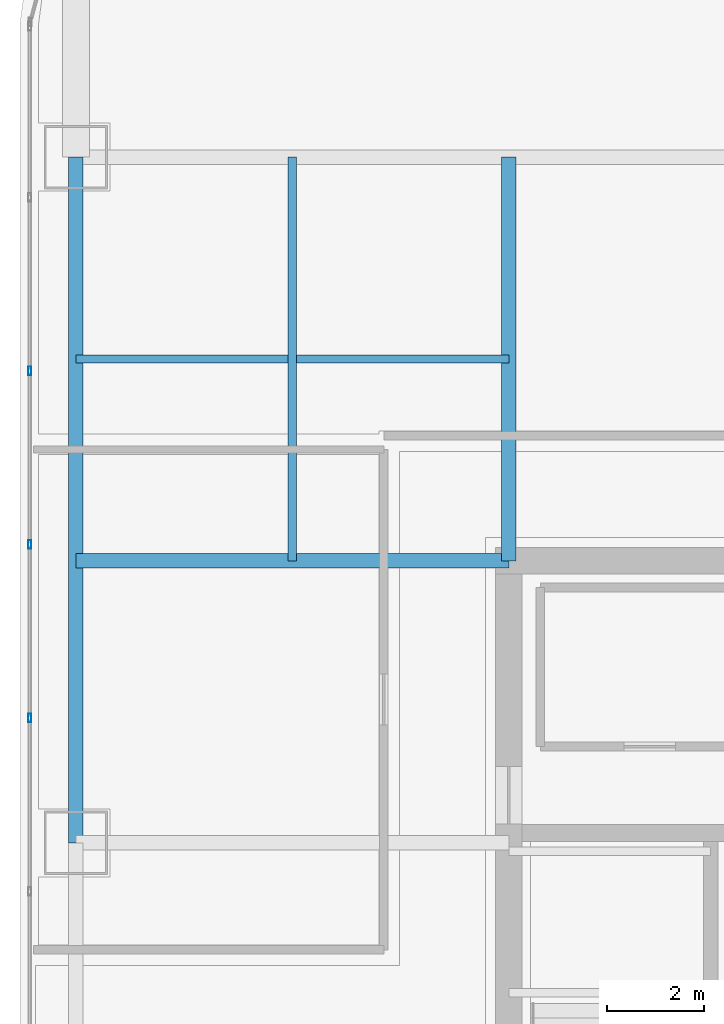
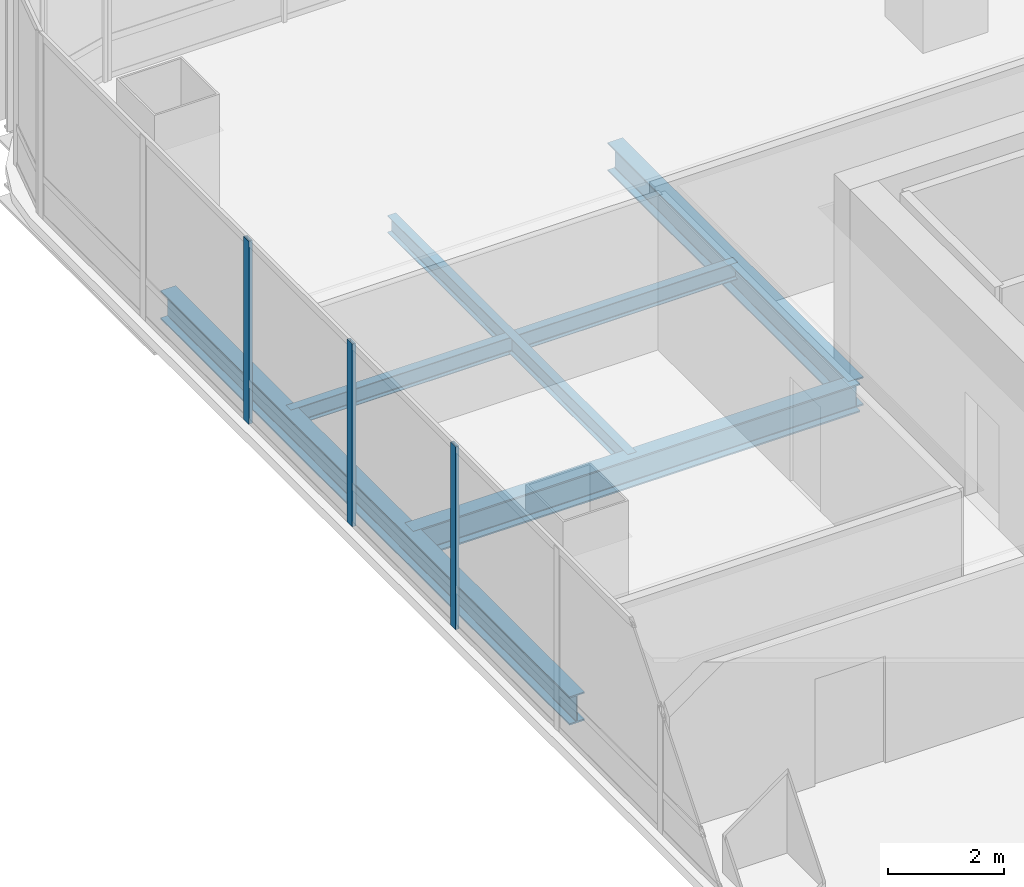
# One storey, part 12 of 39: 5 beams, 3 members, 1 element without a shape of its own.
"""IFC4 building model written with IfcOpenShell, lengths in metres."""

import ifcopenshell
import ifcopenshell.guid

model = None  # the IFC model being written
_history = None  # IfcOwnerHistory: only IFC2X3 demands one
_inside = {}  # id of a spatial element -> (the spatial element, [elements in it])
_under = {}  # id of a project, library or spatial element -> (it, [spatial elements below it])
_declared = {}  # id of a project -> (the project, [libraries it declares])
_typed = {}  # id of a type object -> (the type object, [elements of that type])
_made_of = {}  # id of a material, layer set ... -> (it, [elements and type objects made of it])


def new_model(schema):
    """Start an empty IFC model of exactly this schema.

    Asked for "IFC4X3", IfcOpenShell would pick the latest addendum, in which some entities
    have other attributes; the version numbers below select the first issue.
    IFC2X3 requires an IfcOwnerHistory on every rooted entity: one is made here for all.
    """
    global model, _history
    if schema == "IFC4X3":
        model = ifcopenshell.file(schema_version=(4, 3, 0, 0))
    else:
        model = ifcopenshell.file(schema=schema)
    _inside.clear()
    _under.clear()
    _declared.clear()
    _typed.clear()
    _made_of.clear()
    _history = None
    if model.schema == "IFC2X3":
        org = make("IfcOrganization", Name="unknown")
        user = make(
            "IfcPersonAndOrganization",
            ThePerson=make("IfcPerson", FamilyName="unknown"),
            TheOrganization=org,
        )
        app = make(
            "IfcApplication",
            ApplicationDeveloper=org,
            Version="unknown",
            ApplicationFullName="unknown",
            ApplicationIdentifier="unknown",
        )
        _history = make(
            "IfcOwnerHistory",
            OwningUser=user,
            OwningApplication=app,
            ChangeAction="ADDED",
            CreationDate=0,
        )
    return model


def make(cls, **values):
    """One entity of the class cls with the attributes given. An attribute that is None is left unset."""
    return model.create_entity(
        cls, **{name: value for name, value in values.items() if value is not None}
    )


def rooted(cls, **values):
    """An entity with a GlobalId (a new one), such as an element, a storey or a relation."""
    return make(cls, GlobalId=ifcopenshell.guid.new(), OwnerHistory=_history, **values)


def si_unit(unit_type, name, prefix=None):
    """IfcSIUnit, for example si_unit("LENGTHUNIT", "METRE", prefix="MILLI")."""
    return make("IfcSIUnit", UnitType=unit_type, Prefix=prefix, Name=name)


def assignment(units):
    """IfcUnitAssignment: the units of a project."""
    return None if units is None else make("IfcUnitAssignment", Units=units)


def point(xyz):
    """IfcCartesianPoint."""
    return None if xyz is None else make("IfcCartesianPoint", Coordinates=xyz)


def direction(xyz):
    """IfcDirection."""
    return None if xyz is None else make("IfcDirection", DirectionRatios=xyz)


def frame(location, z_axis=None, x_axis=None):
    """IfcAxis2Placement3D, a coordinate frame: its origin and axes. An axis left out is left unset."""
    return make(
        "IfcAxis2Placement3D",
        Location=point(location),
        Axis=direction(z_axis),
        RefDirection=direction(x_axis),
    )


def frame_2d(location, x_axis=None):
    """IfcAxis2Placement2D, a coordinate frame in the plane: its origin and x axis."""
    return make(
        "IfcAxis2Placement2D", Location=point(location), RefDirection=direction(x_axis)
    )


def origin():
    """The frame at (0, 0, 0) with its axes left unset."""
    return frame((0.0, 0.0, 0.0))


def origin_2d():
    """The frame at (0, 0) in the plane with its x axis left unset."""
    return frame_2d((0.0, 0.0))


def place(relative_to, where):
    """IfcLocalPlacement: puts the frame where relative to a parent placement (None: the world)."""
    return make(
        "IfcLocalPlacement", PlacementRelTo=relative_to, RelativePlacement=where
    )


def context(
    kind, dimensions, precision=None, world=None, true_north=None, identifier=None
):
    """IfcGeometricRepresentationContext, for example the 3D "Model" context."""
    return make(
        "IfcGeometricRepresentationContext",
        ContextIdentifier=identifier,
        ContextType=kind,
        CoordinateSpaceDimension=dimensions,
        Precision=precision,
        WorldCoordinateSystem=world,
        TrueNorth=true_north,
    )


def subcontext(parent, identifier, kind, view, scale=None):
    """IfcGeometricRepresentationSubContext, for example "Body" below "Model"."""
    return make(
        "IfcGeometricRepresentationSubContext",
        ContextIdentifier=identifier,
        ContextType=kind,
        ParentContext=parent,
        TargetScale=scale,
        TargetView=view,
    )


def project(units=None, contexts=None):
    """IfcProject with its units and contexts."""
    return rooted(
        "IfcProject",
        Name="project",
        RepresentationContexts=contexts,
        UnitsInContext=assignment(units),
    )


def spatial(cls, under=None, at=None, **own):
    """A site, building, storey or space (cls), placed at a placement, below another one or the project."""
    s = rooted(cls, ObjectPlacement=at, **own)
    if under is not None:
        _under.setdefault(under.id(), (under, []))[1].append(s)
    return s


def profile(cls, at=None, kind="AREA", **sizes):
    """A parametric profile (cls). Its sizes go by their IFC names, for example OverallWidth=200.0."""
    return make(cls, ProfileType=kind, Position=at, **sizes)


def hollow_rectangle(**sizes):
    """IfcRectangleHollowProfileDef."""
    return profile("IfcRectangleHollowProfileDef", **sizes)


def i_section(**sizes):
    """IfcIShapeProfileDef."""
    return profile("IfcIShapeProfileDef", **sizes)


def extrude(swept, where, along, depth):
    """IfcExtrudedAreaSolid: the profile swept, set in the frame where, extruded along a direction by depth."""
    return make(
        "IfcExtrudedAreaSolid",
        SweptArea=swept,
        Position=where,
        ExtrudedDirection=direction(along),
        Depth=depth,
    )


def shape(context_of_items, identifier, shape_type, items):
    """IfcShapeRepresentation: the items that make up one representation, for example the "Body"."""
    return make(
        "IfcShapeRepresentation",
        ContextOfItems=context_of_items,
        RepresentationIdentifier=identifier,
        RepresentationType=shape_type,
        Items=items,
    )


def material(Name=None, Category=None):
    """IfcMaterial."""
    return make("IfcMaterial", Name=Name, Category=Category)


def material_profile(
    of_material, cross_section, Name=None, Category=None, Priority=None
):
    """IfcMaterialProfile: a cross section and its material."""
    return make(
        "IfcMaterialProfile",
        Name=Name,
        Material=of_material,
        Profile=cross_section,
        Priority=Priority,
        Category=Category,
    )


def profile_set(profiles, Name=None, composite=None):
    """IfcMaterialProfileSet."""
    return make(
        "IfcMaterialProfileSet",
        Name=Name,
        MaterialProfiles=profiles,
        CompositeProfile=composite,
    )


def made_of(thing, what):
    """Note that an element or type object is made of a material, layer set ...; save() writes the relation."""
    if what is not None:
        _made_of.setdefault(what.id(), (what, []))[1].append(thing)
    return thing


def type_object(cls, material=None, **own):
    """A type object (cls), such as IfcWallType, which elements share."""
    return made_of(rooted(cls, **own), material)


def element(
    cls,
    number,
    at=None,
    inside=None,
    cuts=None,
    type_object=None,
    material=None,
    context=None,
    identifier="Body",
    shape_type=None,
    held_by="IfcProductDefinitionShape",
    body=None,
    shapes=None,
    **own,
):
    """One element of the class cls, such as IfcWall. Its Tag is "e" and its number.

    at: its placement. inside: the storey or other place that contains it. cuts: it is an
    opening in that element (IfcRelVoidsElement). A single representation is given by context,
    identifier, shape_type and body (its items); several are given by shapes. held_by: the class
    of the entity that holds the representations. save() writes the other relations.
    """
    e = rooted(cls, Tag="e%d" % number, ObjectPlacement=at, **own)
    if body is not None:
        shapes = [shape(context, identifier, shape_type, body)]
    if shapes is not None:
        e.Representation = make(held_by, Representations=shapes)
    if inside is not None:
        _inside.setdefault(inside.id(), (inside, []))[1].append(e)
    if cuts is not None:
        rooted(
            "IfcRelVoidsElement", RelatingBuildingElement=cuts, RelatedOpeningElement=e
        )
    if type_object is not None:
        _typed.setdefault(type_object.id(), (type_object, []))[1].append(e)
    return made_of(e, material)


def aggregate(whole, parts):
    """IfcRelAggregates: a whole, such as a stair, and the parts it consists of."""
    return rooted("IfcRelAggregates", RelatingObject=whole, RelatedObjects=parts)


def save(model, path):
    """Write the relations noted so far, then the file.

    IfcRelAggregates (storeys below a building ...), IfcRelContainedInSpatialStructure (elements
    in a storey), IfcRelDefinesByType, IfcRelAssociatesMaterial and IfcRelDeclares: one each for
    every whole, place, type object, material and project.
    """
    for whole, parts in _under.values():
        aggregate(whole, parts)
    for where, things in _inside.values():
        rooted(
            "IfcRelContainedInSpatialStructure",
            RelatedElements=things,
            RelatingStructure=where,
        )
    for kind, things in _typed.values():
        rooted("IfcRelDefinesByType", RelatedObjects=things, RelatingType=kind)
    for what, things in _made_of.values():
        rooted("IfcRelAssociatesMaterial", RelatedObjects=things, RelatingMaterial=what)
    for by, libraries in _declared.values():
        rooted("IfcRelDeclares", RelatingContext=by, RelatedDefinitions=libraries)
    model.write(path)


model = new_model("IFC4")

# Units and contexts
model_context = context("Model", 3, precision=1e-05, world=origin(), true_north=direction((0.0, 1.0)))
body_context = subcontext(model_context, "Body", "Model", "MODEL_VIEW")
ifc_project = project(units=[si_unit("LENGTHUNIT", "METRE"), si_unit("AREAUNIT", "SQUARE_METRE"), si_unit("VOLUMEUNIT", "CUBIC_METRE"), si_unit("PLANEANGLEUNIT", "RADIAN"), si_unit("MASSUNIT", "GRAM", prefix="KILO")], contexts=[model_context])

# Site, building, storey
site_placement = place(None, origin())
site = spatial("IfcSite", under=ifc_project, at=site_placement, CompositionType="ELEMENT")
building_placement = place(site_placement, origin())
building = spatial("IfcBuilding", under=site, at=building_placement, Name="Punatoya Terracotta Tower", CompositionType="ELEMENT")
storey_placement = place(building_placement, frame((0.0, 0.0, 275.699951171875)))
storey = spatial("IfcBuildingStorey", under=building, at=storey_placement, Name="L65", CompositionType="ELEMENT", Elevation=275.699951171875)

# Beams
ifc_material_1 = material(Name="Steel S355", Category="steel")
ifc_material_profile_1 = material_profile(ifc_material_1, i_section(OverallWidth=0.300048828125, OverallDepth=0.60009765625, WebThickness=0.015380859375, FlangeThickness=0.030029296875, FilletRadius=0.01806640625, at=origin_2d()))
ifc_profile_set_1 = profile_set([ifc_material_profile_1], Name="Steel S355")
beam_type_1 = type_object("IfcBeamType", Name="BM-PRI-600", PredefinedType="BEAM", material=ifc_profile_set_1)
beam_1_placement = place(storey_placement, frame((-19.10009765625, 3.39990234375, -0.5), z_axis=(0.0, 1.0, 0.0), x_axis=(-1.0, 0.0, 0.0)))
element("IfcBeam", 1, at=beam_1_placement, inside=storey, type_object=beam_type_1, Name="BM-L65-RG-W3", PredefinedType="BEAM", context=body_context, shape_type="SweptSolid", body=[
    extrude(i_section(OverallWidth=0.300048828125, OverallDepth=0.60009765625, WebThickness=0.015380859375, FlangeThickness=0.030029296875, FilletRadius=0.01806640625, at=origin_2d()), origin(), (0.0, 0.0, 1.0), 14.10009765625),
])
beam_2_placement = place(storey_placement, frame((-19.10009765625, 9.199951171875, -0.5), z_axis=(1.0, 0.0, 0.0), x_axis=(0.0, 1.0, 0.0)))
element("IfcBeam", 2, at=beam_2_placement, inside=storey, type_object=beam_type_1, Name="BM-L65-PR-WN", PredefinedType="BEAM", context=body_context, shape_type="SweptSolid", body=[
    extrude(i_section(OverallWidth=0.300048828125, OverallDepth=0.60009765625, WebThickness=0.015380859375, FlangeThickness=0.030029296875, FilletRadius=0.01806640625, at=origin_2d()), origin(), (0.0, 0.0, 1.0), 8.900146484375),
])
beam_3_placement = place(storey_placement, frame((-10.199951171875, 9.199951171875, -0.5), z_axis=(0.0, 1.0, 0.0), x_axis=(-1.0, 0.0, 0.0)))
element("IfcBeam", 3, at=beam_3_placement, inside=storey, type_object=beam_type_1, Name="BM-L65-PR-N1", PredefinedType="BEAM", context=body_context, shape_type="SweptSolid", body=[
    extrude(i_section(OverallWidth=0.300048828125, OverallDepth=0.60009765625, WebThickness=0.015380859375, FlangeThickness=0.030029296875, FilletRadius=0.01806640625, at=origin_2d()), origin(), (0.0, 0.0, 1.0), 8.300048828125),
])
ifc_material_profile_2 = material_profile(ifc_material_1, i_section(OverallWidth=0.169921875, OverallDepth=0.360107421875, WebThickness=0.008056640625, FlangeThickness=0.0126953125, FilletRadius=0.01806640625, at=origin_2d()))
ifc_profile_set_2 = profile_set([ifc_material_profile_2], Name="Steel S355")
beam_type_2 = type_object("IfcBeamType", Name="BM-SEC-360", PredefinedType="JOIST", material=ifc_profile_set_2)
beam_4_placement = place(storey_placement, frame((-19.10009765625, 13.35009765625, -0.3798828125), z_axis=(1.0, 0.0, 0.0), x_axis=(0.0, 1.0, 0.0)))
element("IfcBeam", 4, at=beam_4_placement, inside=storey, type_object=beam_type_2, Name="BM-L65-SJN-1", PredefinedType="JOIST", context=body_context, shape_type="SweptSolid", body=[
    extrude(i_section(OverallWidth=0.169921875, OverallDepth=0.360107421875, WebThickness=0.008056640625, FlangeThickness=0.0126953125, FilletRadius=0.01806640625, at=origin_2d()), origin(), (0.0, 0.0, 1.0), 8.900146484375),
])
beam_5_placement = place(storey_placement, frame((-14.64990234375, 9.199951171875, -0.3798828125), z_axis=(0.0, 1.0, 0.0), x_axis=(-1.0, 0.0, 0.0)))
element("IfcBeam", 5, at=beam_5_placement, inside=storey, type_object=beam_type_2, Name="BM-L65-SJW-2", PredefinedType="JOIST", context=body_context, shape_type="SweptSolid", body=[
    extrude(i_section(OverallWidth=0.169921875, OverallDepth=0.360107421875, WebThickness=0.008056640625, FlangeThickness=0.0126953125, FilletRadius=0.01806640625, at=origin_2d()), origin(), (0.0, 0.0, 1.0), 8.300048828125),
])

# Curtain wall, members
ifc_material_2 = material(Name="Aluminium 6063-T6 + Double Low-E Glass", Category="aluminium")
curtain_wall_type = type_object("IfcCurtainWallType", Name="CW-M3", PredefinedType="NOTDEFINED", material=ifc_material_2)
curtain_wall_placement = place(storey_placement, origin())
curtain_wall = element("IfcCurtainWall", 6, at=curtain_wall_placement, inside=storey, type_object=curtain_wall_type, Name="L65 Curtain Wall CW-L65-W13-1", PredefinedType="NOTDEFINED")
ifc_material_3 = material(Name="Aluminium 6063-T6", Category="aluminium")
ifc_material_profile_3 = material_profile(ifc_material_3, hollow_rectangle(XDim=0.070068359375, YDim=0.179931640625, WallThickness=0.00390625, at=origin_2d()))
ifc_profile_set_3 = profile_set([ifc_material_profile_3], Name="Aluminium 6063-T6")
member_type = type_object("IfcMemberType", Name="CW-MUL-M3", PredefinedType="MULLION", material=ifc_profile_set_3)
member_1_placement = place(storey_placement, frame((-20.050048828125, 13.10205078125, 0.0), z_axis=(0.0, 0.0, 1.0), x_axis=(1.0, 0.0, 0.0)))
member_1 = element("IfcMember", 7, at=member_1_placement, type_object=member_type, Name="CW-L65-W13-1 Mullion 02", PredefinedType="MULLION", context=body_context, shape_type="SweptSolid", body=[
    extrude(hollow_rectangle(XDim=0.070068359375, YDim=0.179931640625, WallThickness=0.00390625, at=origin_2d()), origin(), (0.0, 0.0, 1.0), 3.85009765625),
])
member_2_placement = place(storey_placement, frame((-20.050048828125, 9.534912109375, 0.0), z_axis=(0.0, 0.0, 1.0), x_axis=(1.0, 0.0, 0.0)))
member_2 = element("IfcMember", 8, at=member_2_placement, type_object=member_type, Name="CW-L65-W13-1 Mullion 03", PredefinedType="MULLION", context=body_context, shape_type="SweptSolid", body=[
    extrude(hollow_rectangle(XDim=0.070068359375, YDim=0.179931640625, WallThickness=0.00390625, at=origin_2d()), origin(), (0.0, 0.0, 1.0), 3.85009765625),
])
member_3_placement = place(storey_placement, frame((-20.050048828125, 5.96728515625, 0.0), z_axis=(0.0, 0.0, 1.0), x_axis=(1.0, 0.0, 0.0)))
member_3 = element("IfcMember", 9, at=member_3_placement, type_object=member_type, Name="CW-L65-W13-1 Mullion 04", PredefinedType="MULLION", context=body_context, shape_type="SweptSolid", body=[
    extrude(hollow_rectangle(XDim=0.070068359375, YDim=0.179931640625, WallThickness=0.00390625, at=origin_2d()), origin(), (0.0, 0.0, 1.0), 3.85009765625),
])
aggregate(curtain_wall, [member_1, member_2, member_3])

save(model, "model.ifc")
